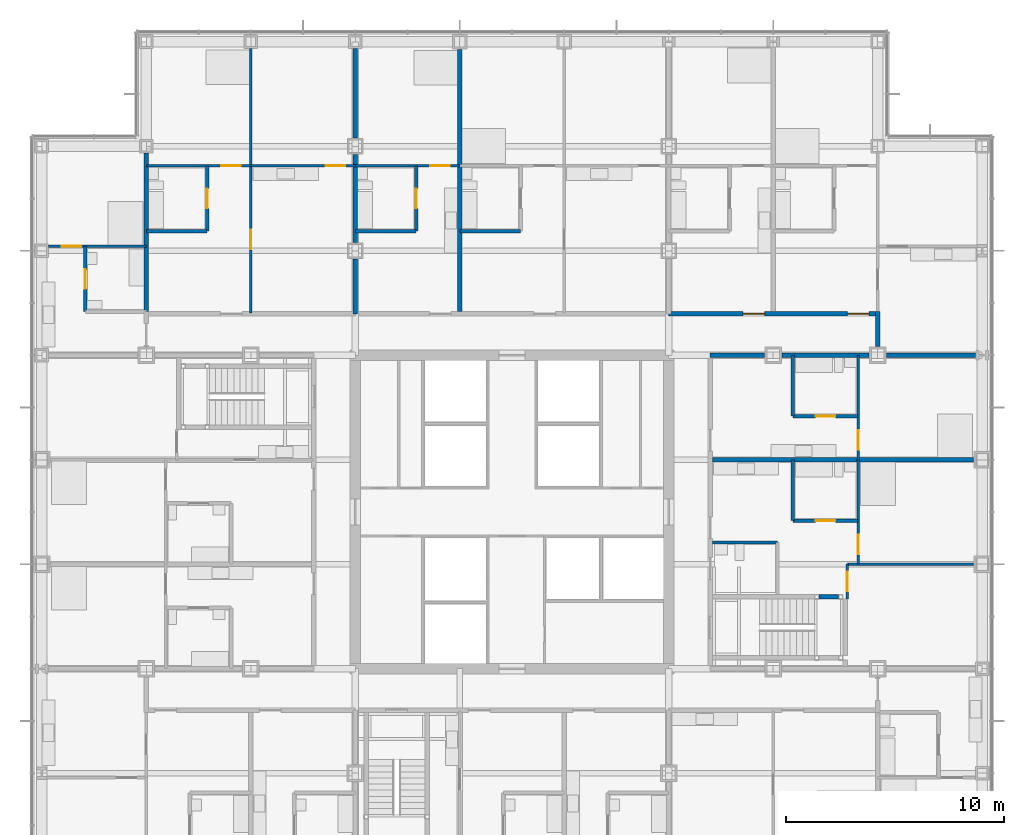
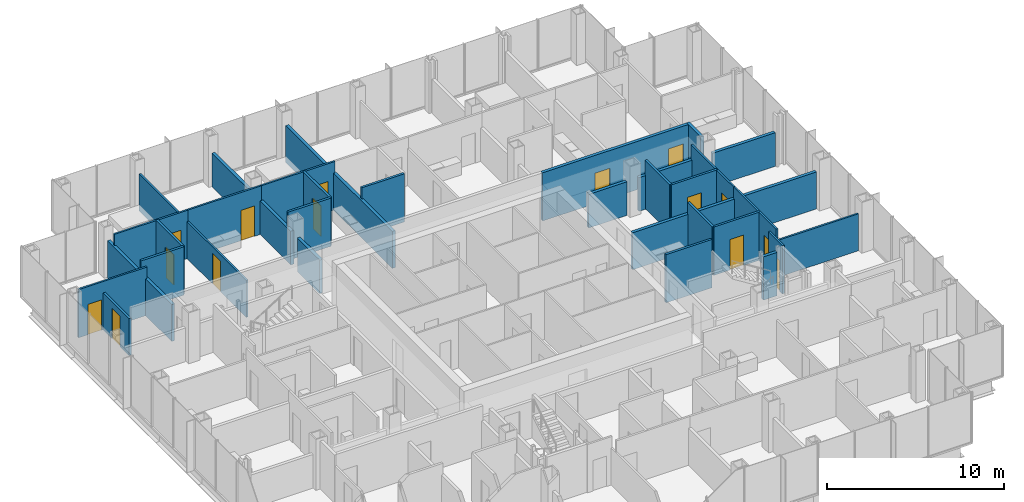
# One storey, part 17 of 21: 33 walls, 15 doors, 15 openings.
"""IFC4 building model written with IfcOpenShell, lengths in metres."""

from ifc_helpers import new_model, si_unit, direction, frame, frame_2d, origin, place, context, subcontext, project, spatial, rectangle, extrude, material, layer, layer_set, type_object, element, fill, save


model = new_model("IFC4")

# Units and contexts
model_context = context("Model", 3, precision=1e-05, world=origin(), true_north=direction((0.0, 1.0)))
body_context = subcontext(model_context, "Body", "Model", "MODEL_VIEW")
ifc_project = project(units=[si_unit("LENGTHUNIT", "METRE"), si_unit("AREAUNIT", "SQUARE_METRE"), si_unit("VOLUMEUNIT", "CUBIC_METRE"), si_unit("PLANEANGLEUNIT", "RADIAN"), si_unit("MASSUNIT", "GRAM", prefix="KILO")], contexts=[model_context])

# Site, building, storey
site_placement = place(None, origin())
site = spatial("IfcSite", under=ifc_project, at=site_placement, CompositionType="ELEMENT")
building_placement = place(site_placement, origin())
building = spatial("IfcBuilding", under=site, at=building_placement, Name="Kvirike Care Tower", CompositionType="ELEMENT")
storey_placement = place(building_placement, frame((0.0, 0.0, 30.5)))
storey = spatial("IfcBuildingStorey", under=building, at=storey_placement, Name="L07", CompositionType="ELEMENT", Elevation=30.5)

# Wall, opening, door
ifc_material_1 = material(Name="Moisture-resistant board partition", Category="gypsum")
ifc_layer_1 = layer(ifc_material_1, 0.14990234375)
ifc_layer_set_1 = layer_set([ifc_layer_1], Name="BATHROOM WALL 150")
wall_type_1 = type_object("IfcWallType", Name="BATHROOM WALL 150", PredefinedType="PARTITIONING", material=ifc_layer_set_1)
wall_1_placement = place(storey_placement, frame((7.60009765625, 51.89990234375, 0.0), z_axis=(0.0, 0.0, 1.0), x_axis=(0.0, -1.0, 0.0)))
wall_1 = element("IfcWall", 1, at=wall_1_placement, inside=storey, type_object=wall_type_1, Name="Bathroom Wall 150 L07", PredefinedType="PARTITIONING", context=body_context, shape_type="SweptSolid", body=[
    extrude(rectangle(XDim=3.0, YDim=0.14990234375, at=frame_2d((1.5, 0.0))), origin(), (0.0, 0.0, 1.0), 3.330078125),
])
opening_1_placement = place(wall_1_placement, frame((1.050048828125, 0.0, 0.0)))
opening_1 = element("IfcOpeningElement", 2, at=opening_1_placement, cuts=wall_1, Name="Opening 07-018", PredefinedType="OPENING", context=body_context, shape_type="SweptSolid", body=[
    extrude(rectangle(XDim=0.89990234375, YDim=2.10009765625, at=frame_2d((0.449951171875, 1.050048828125))), frame((0.0, 0.08544921875, 0.0), z_axis=(0.0, -1.0, 0.0), x_axis=(1.0, 0.0, 0.0)), (0.0, 0.0, 1.0), 0.1708984375),
])
ifc_material_2 = material(Name="Timber door set", Category="wood")
door_type_1 = type_object("IfcDoorType", Name="BATHROOM DOOR 900", OperationType="SINGLE_SWING_RIGHT", PredefinedType="DOOR", material=ifc_material_2)
door_1_placement = place(opening_1_placement, frame((0.89990234375, 0.0, 0.0), z_axis=(0.0, 0.0, 1.0), x_axis=(-1.0, 0.0, 0.0)))
door_1 = element("IfcDoor", 3, at=door_1_placement, inside=storey, type_object=door_type_1, Name="Bathroom door", OperationType="SINGLE_SWING_RIGHT", OverallHeight=2.10009765625, OverallWidth=0.89990234375, PredefinedType="DOOR", context=body_context, shape_type="SweptSolid", body=[
    extrude(rectangle(XDim=0.89990234375, YDim=2.10009765625, at=frame_2d((0.449951171875, 1.050048828125))), frame((0.0, 0.02197265625, 0.0), z_axis=(0.0, -1.0, 0.0), x_axis=(1.0, 0.0, 0.0)), (0.0, 0.0, 1.0), 0.0439453125),
])
fill(opening_1, door_1)

# Wall
wall_2_placement = place(storey_placement, frame((7.60009765625, 48.89990234375, 0.0), z_axis=(0.0, 0.0, 1.0), x_axis=(-1.0, 0.0, 0.0)))
element("IfcWall", 4, at=wall_2_placement, inside=storey, type_object=wall_type_1, Name="Bathroom Wall 150 L07", PredefinedType="PARTITIONING", context=body_context, shape_type="SweptSolid", body=[
    extrude(rectangle(XDim=2.800048828125, YDim=0.14990234375, at=frame_2d((1.39990234375, 0.0))), origin(), (0.0, 0.0, 1.0), 3.330078125),
])

# Wall, opening, door
wall_3_placement = place(storey_placement, frame((2.0, 48.199951171875, 0.0), z_axis=(0.0, 0.0, 1.0), x_axis=(0.0, -1.0, 0.0)))
wall_3 = element("IfcWall", 5, at=wall_3_placement, inside=storey, type_object=wall_type_1, Name="Bathroom Wall 150 L07", PredefinedType="PARTITIONING", context=body_context, shape_type="SweptSolid", body=[
    extrude(rectangle(XDim=3.0, YDim=0.14990234375, at=frame_2d((1.5, 0.0))), origin(), (0.0, 0.0, 1.0), 2.550048828125),
])
opening_2_placement = place(wall_3_placement, frame((1.050048828125, 0.0, 0.0)))
opening_2 = element("IfcOpeningElement", 6, at=opening_2_placement, cuts=wall_3, Name="Opening 07-022", PredefinedType="OPENING", context=body_context, shape_type="SweptSolid", body=[
    extrude(rectangle(XDim=0.89990234375, YDim=2.10009765625, at=frame_2d((0.449951171875, 1.050048828125))), frame((0.0, 0.08544921875, 0.0), z_axis=(0.0, -1.0, 0.0), x_axis=(1.0, 0.0, 0.0)), (0.0, 0.0, 1.0), 0.1708984375),
])
door_2_placement = place(opening_2_placement, origin())
door_2 = element("IfcDoor", 7, at=door_2_placement, inside=storey, type_object=door_type_1, Name="Bathroom door", OperationType="SINGLE_SWING_LEFT", OverallHeight=2.10009765625, OverallWidth=0.89990234375, PredefinedType="DOOR", context=body_context, shape_type="SweptSolid", body=[
    extrude(rectangle(XDim=0.89990234375, YDim=2.10009765625, at=frame_2d((0.449951171875, 1.050048828125))), frame((0.0, 0.02197265625, 0.0), z_axis=(0.0, -1.0, 0.0), x_axis=(1.0, 0.0, 0.0)), (0.0, 0.0, 1.0), 0.0439453125),
])
fill(opening_2, door_2)

# Wall
wall_4_placement = place(storey_placement, frame((22.0, 48.89990234375, 0.0), z_axis=(0.0, 0.0, 1.0), x_axis=(-1.0, 0.0, 0.0)))
element("IfcWall", 8, at=wall_4_placement, inside=storey, type_object=wall_type_1, Name="Bathroom Wall 150 L07", PredefinedType="PARTITIONING", context=body_context, shape_type="SweptSolid", body=[
    extrude(rectangle(XDim=2.800048828125, YDim=0.14990234375, at=frame_2d((1.39990234375, 0.0))), origin(), (0.0, 0.0, 1.0), 3.330078125),
])

# Wall, opening, door
wall_5_placement = place(storey_placement, frame((17.199951171875, 51.89990234375, 0.0), z_axis=(0.0, 0.0, 1.0), x_axis=(0.0, -1.0, 0.0)))
wall_5 = element("IfcWall", 9, at=wall_5_placement, inside=storey, type_object=wall_type_1, Name="Bathroom Wall 150 L07", PredefinedType="PARTITIONING", context=body_context, shape_type="SweptSolid", body=[
    extrude(rectangle(XDim=3.0, YDim=0.14990234375, at=frame_2d((1.5, 0.0))), origin(), (0.0, 0.0, 1.0), 3.330078125),
])
opening_3_placement = place(wall_5_placement, frame((1.050048828125, 0.0, 0.0)))
opening_3 = element("IfcOpeningElement", 10, at=opening_3_placement, cuts=wall_5, Name="Opening 07-039", PredefinedType="OPENING", context=body_context, shape_type="SweptSolid", body=[
    extrude(rectangle(XDim=0.89990234375, YDim=2.10009765625, at=frame_2d((0.449951171875, 1.050048828125))), frame((0.0, 0.08544921875, 0.0), z_axis=(0.0, -1.0, 0.0), x_axis=(1.0, 0.0, 0.0)), (0.0, 0.0, 1.0), 0.1708984375),
])
door_3_placement = place(opening_3_placement, frame((0.89990234375, 0.0, 0.0), z_axis=(0.0, 0.0, 1.0), x_axis=(-1.0, 0.0, 0.0)))
door_3 = element("IfcDoor", 11, at=door_3_placement, inside=storey, type_object=door_type_1, Name="Bathroom door", OperationType="SINGLE_SWING_LEFT", OverallHeight=2.10009765625, OverallWidth=0.89990234375, PredefinedType="DOOR", context=body_context, shape_type="SweptSolid", body=[
    extrude(rectangle(XDim=0.89990234375, YDim=2.10009765625, at=frame_2d((0.449951171875, 1.050048828125))), frame((0.0, 0.02197265625, 0.0), z_axis=(0.0, -1.0, 0.0), x_axis=(1.0, 0.0, 0.0)), (0.0, 0.0, 1.0), 0.0439453125),
])
fill(opening_3, door_3)

# Walls
wall_6_placement = place(storey_placement, frame((17.199951171875, 48.89990234375, 0.0), z_axis=(0.0, 0.0, 1.0), x_axis=(-1.0, 0.0, 0.0)))
element("IfcWall", 12, at=wall_6_placement, inside=storey, type_object=wall_type_1, Name="Bathroom Wall 150 L07", PredefinedType="PARTITIONING", context=body_context, shape_type="SweptSolid", body=[
    extrude(rectangle(XDim=2.800048828125, YDim=0.14990234375, at=frame_2d((1.39990234375, 0.0))), origin(), (0.0, 0.0, 1.0), 3.330078125),
])
wall_7_placement = place(storey_placement, frame((33.800048828125, 34.60009765625, 0.0), z_axis=(0.0, 0.0, 1.0), x_axis=(-1.0, 0.0, 0.0)))
element("IfcWall", 13, at=wall_7_placement, inside=storey, type_object=wall_type_1, Name="Bathroom Wall 150 L07", PredefinedType="PARTITIONING", context=body_context, shape_type="SweptSolid", body=[
    extrude(rectangle(XDim=3.0, YDim=0.14990234375, at=frame_2d((1.5, 0.0))), origin(), (0.0, 0.0, 1.0), 3.330078125),
])

# Wall, opening, door
wall_8_placement = place(storey_placement, frame((37.5, 35.60009765625, 0.0), z_axis=(0.0, 0.0, 1.0), x_axis=(-1.0, 0.0, 0.0)))
wall_8 = element("IfcWall", 14, at=wall_8_placement, inside=storey, type_object=wall_type_1, Name="Bathroom Wall 150 L07", PredefinedType="PARTITIONING", context=body_context, shape_type="SweptSolid", body=[
    extrude(rectangle(XDim=3.0, YDim=0.14990234375, at=frame_2d((1.5, 0.0))), origin(), (0.0, 0.0, 1.0), 3.330078125),
])
opening_4_placement = place(wall_8_placement, frame((1.050048828125, 0.0, 0.0)))
opening_4 = element("IfcOpeningElement", 15, at=opening_4_placement, cuts=wall_8, Name="Opening 07-051", PredefinedType="OPENING", context=body_context, shape_type="SweptSolid", body=[
    extrude(rectangle(XDim=0.89990234375, YDim=2.10009765625, at=frame_2d((0.449951171875, 1.050048828125))), frame((0.0, 0.08544921875, 0.0), z_axis=(0.0, -1.0, 0.0), x_axis=(1.0, 0.0, 0.0)), (0.0, 0.0, 1.0), 0.1708984375),
])
door_4_placement = place(opening_4_placement, frame((0.89990234375, 0.0, 0.0), z_axis=(0.0, 0.0, 1.0), x_axis=(-1.0, 0.0, 0.0)))
door_4 = element("IfcDoor", 16, at=door_4_placement, inside=storey, type_object=door_type_1, Name="Bathroom door", OperationType="SINGLE_SWING_RIGHT", OverallHeight=2.10009765625, OverallWidth=0.89990234375, PredefinedType="DOOR", context=body_context, shape_type="SweptSolid", body=[
    extrude(rectangle(XDim=0.89990234375, YDim=2.10009765625, at=frame_2d((0.449951171875, 1.050048828125))), frame((0.0, 0.02197265625, 0.0), z_axis=(0.0, -1.0, 0.0), x_axis=(1.0, 0.0, 0.0)), (0.0, 0.0, 1.0), 0.0439453125),
])
fill(opening_4, door_4)

# Wall
wall_9_placement = place(storey_placement, frame((34.5, 35.60009765625, 0.0), z_axis=(0.0, 0.0, 1.0), x_axis=(0.0, 1.0, 0.0)))
element("IfcWall", 17, at=wall_9_placement, inside=storey, type_object=wall_type_1, Name="Bathroom Wall 150 L07", PredefinedType="PARTITIONING", context=body_context, shape_type="SweptSolid", body=[
    extrude(rectangle(XDim=2.7998046875, YDim=0.14990234375, at=frame_2d((1.39990234375, 0.0))), origin(), (0.0, 0.0, 1.0), 3.330078125),
])

# Wall, opening, door
wall_10_placement = place(storey_placement, frame((37.5, 40.39990234375, 0.0), z_axis=(0.0, 0.0, 1.0), x_axis=(-1.0, 0.0, 0.0)))
wall_10 = element("IfcWall", 18, at=wall_10_placement, inside=storey, type_object=wall_type_1, Name="Bathroom Wall 150 L07", PredefinedType="PARTITIONING", context=body_context, shape_type="SweptSolid", body=[
    extrude(rectangle(XDim=3.0, YDim=0.14990234375, at=frame_2d((1.5, 0.0))), origin(), (0.0, 0.0, 1.0), 3.330078125),
])
opening_5_placement = place(wall_10_placement, frame((1.050048828125, 0.0, 0.0)))
opening_5 = element("IfcOpeningElement", 19, at=opening_5_placement, cuts=wall_10, Name="Opening 07-054", PredefinedType="OPENING", context=body_context, shape_type="SweptSolid", body=[
    extrude(rectangle(XDim=0.89990234375, YDim=2.10009765625, at=frame_2d((0.449951171875, 1.050048828125))), frame((0.0, 0.08544921875, 0.0), z_axis=(0.0, -1.0, 0.0), x_axis=(1.0, 0.0, 0.0)), (0.0, 0.0, 1.0), 0.1708984375),
])
door_5_placement = place(opening_5_placement, frame((0.89990234375, 0.0, 0.0), z_axis=(0.0, 0.0, 1.0), x_axis=(-1.0, 0.0, 0.0)))
door_5 = element("IfcDoor", 20, at=door_5_placement, inside=storey, type_object=door_type_1, Name="Bathroom door", OperationType="SINGLE_SWING_RIGHT", OverallHeight=2.10009765625, OverallWidth=0.89990234375, PredefinedType="DOOR", context=body_context, shape_type="SweptSolid", body=[
    extrude(rectangle(XDim=0.89990234375, YDim=2.10009765625, at=frame_2d((0.449951171875, 1.050048828125))), frame((0.0, 0.02197265625, 0.0), z_axis=(0.0, -1.0, 0.0), x_axis=(1.0, 0.0, 0.0)), (0.0, 0.0, 1.0), 0.0439453125),
])
fill(opening_5, door_5)

# Wall
wall_11_placement = place(storey_placement, frame((34.5, 40.39990234375, 0.0), z_axis=(0.0, 0.0, 1.0), x_axis=(0.0, 1.0, 0.0)))
element("IfcWall", 21, at=wall_11_placement, inside=storey, type_object=wall_type_1, Name="Bathroom Wall 150 L07", PredefinedType="PARTITIONING", context=body_context, shape_type="SweptSolid", body=[
    extrude(rectangle(XDim=2.800048828125, YDim=0.14990234375, at=frame_2d((1.39990234375, 0.0))), origin(), (0.0, 0.0, 1.0), 3.330078125),
])

# Wall, openings, doors
ifc_material_3 = material(Name="Plasterboard corridor wall", Category="gypsum")
ifc_layer_2 = layer(ifc_material_3, 0.199951171875)
ifc_layer_set_2 = layer_set([ifc_layer_2], Name="CORRIDOR WALL 200")
wall_type_2 = type_object("IfcWallType", Name="CORRIDOR WALL 200", PredefinedType="PARTITIONING", material=ifc_layer_set_2)
wall_12_placement = place(storey_placement, frame((38.39990234375, 45.10009765625, 0.0), z_axis=(0.0, 0.0, 1.0), x_axis=(-1.0, 0.0, 0.0)))
wall_12 = element("IfcWall", 22, at=wall_12_placement, inside=storey, type_object=wall_type_2, Name="Corridor Wall 200 L07", PredefinedType="PARTITIONING", context=body_context, shape_type="SweptSolid", body=[
    extrude(rectangle(XDim=9.599853515625, YDim=0.199951171875, at=frame_2d((4.7998046875, 0.0))), origin(), (0.0, 0.0, 1.0), 3.330078125),
])
opening_6_placement = place(wall_12_placement, frame((0.39990234375, 0.0, 0.0)))
opening_6 = element("IfcOpeningElement", 23, at=opening_6_placement, cuts=wall_12, Name="Opening 07-066", PredefinedType="OPENING", context=body_context, shape_type="SweptSolid", body=[
    extrude(rectangle(XDim=1.0, YDim=2.10009765625, at=frame_2d((0.5, 1.050048828125))), frame((0.0, 0.110595703125, 0.0), z_axis=(0.0, -1.0, 0.0), x_axis=(1.0, 0.0, 0.0)), (0.0, 0.0, 1.0), 0.220947265625),
])
opening_7_placement = place(wall_12_placement, frame((5.199951171875, 0.0, 0.0)))
opening_7 = element("IfcOpeningElement", 24, at=opening_7_placement, cuts=wall_12, Name="Opening 07-067", PredefinedType="OPENING", context=body_context, shape_type="SweptSolid", body=[
    extrude(rectangle(XDim=1.0, YDim=2.10009765625, at=frame_2d((0.5, 1.050048828125))), frame((0.0, 0.110595703125, 0.0), z_axis=(0.0, -1.0, 0.0), x_axis=(1.0, 0.0, 0.0)), (0.0, 0.0, 1.0), 0.220947265625),
])
ifc_material_4 = material(Name="Timber door set", Category="wood")
door_type_2 = type_object("IfcDoorType", Name="FLAT ENTRANCE DOOR 1000", OperationType="SINGLE_SWING_LEFT", PredefinedType="DOOR", material=ifc_material_4)
door_6_placement = place(opening_6_placement, frame((1.0, 0.0, 0.0), z_axis=(0.0, 0.0, 1.0), x_axis=(-1.0, 0.0, 0.0)))
door_6 = element("IfcDoor", 25, at=door_6_placement, inside=storey, type_object=door_type_2, Name="One-bedroom apartment entrance", OperationType="SINGLE_SWING_LEFT", OverallHeight=2.10009765625, OverallWidth=1.0, PredefinedType="DOOR", context=body_context, shape_type="SweptSolid", body=[
    extrude(rectangle(XDim=1.0, YDim=2.10009765625, at=frame_2d((0.5, 1.050048828125))), frame((0.0, 0.02685546875, 0.0), z_axis=(0.0, -1.0, 0.0), x_axis=(1.0, 0.0, 0.0)), (0.0, 0.0, 1.0), 0.053955078125),
])
fill(opening_6, door_6)
door_7_placement = place(opening_7_placement, frame((1.0, 0.0, 0.0), z_axis=(0.0, 0.0, 1.0), x_axis=(-1.0, 0.0, 0.0)))
door_7 = element("IfcDoor", 26, at=door_7_placement, inside=storey, type_object=door_type_2, Name="Studio apartment entrance", OperationType="SINGLE_SWING_LEFT", OverallHeight=2.10009765625, OverallWidth=1.0, PredefinedType="DOOR", context=body_context, shape_type="SweptSolid", body=[
    extrude(rectangle(XDim=1.0, YDim=2.10009765625, at=frame_2d((0.5, 1.050048828125))), frame((0.0, 0.02685546875, 0.0), z_axis=(0.0, -1.0, 0.0), x_axis=(1.0, 0.0, 0.0)), (0.0, 0.0, 1.0), 0.053955078125),
])
fill(opening_7, door_7)

# Wall
wall_13_placement = place(storey_placement, frame((38.39990234375, 45.199951171875, 0.0), z_axis=(0.0, 0.0, 1.0), x_axis=(0.0, -1.0, 0.0)))
element("IfcWall", 27, at=wall_13_placement, inside=storey, type_object=wall_type_2, Name="Corridor Wall 200 L07", PredefinedType="PARTITIONING", context=body_context, shape_type="SweptSolid", body=[
    extrude(rectangle(XDim=1.60498046875, YDim=0.199951171875, at=frame_2d((0.802490234375, 0.0))), origin(), (0.0, 0.0, 1.0), 3.330078125),
])

# Wall, opening, door
ifc_material_5 = material(Name="Plasterboard partition", Category="gypsum")
ifc_layer_3 = layer(ifc_material_5, 0.1201171875)
ifc_layer_set_3 = layer_set([ifc_layer_3], Name="PARTITION 120")
wall_type_3 = type_object("IfcWallType", Name="PARTITION 120", PredefinedType="PARTITIONING", material=ifc_layer_set_3)
wall_14_placement = place(storey_placement, frame((9.60009765625, 51.89990234375, 0.0), z_axis=(0.0, 0.0, 1.0), x_axis=(0.0, -1.0, 0.0)))
wall_14 = element("IfcWall", 28, at=wall_14_placement, inside=storey, type_object=wall_type_3, Name="Partition 120 L07", PredefinedType="PARTITIONING", context=body_context, shape_type="SweptSolid", body=[
    extrude(rectangle(XDim=6.75, YDim=0.1201171875, at=frame_2d((3.375, 0.0))), origin(), (0.0, 0.0, 1.0), 2.550048828125),
])
opening_8_placement = place(wall_14_placement, frame((2.925048828125, 0.0, 0.0)))
opening_8 = element("IfcOpeningElement", 29, at=opening_8_placement, cuts=wall_14, Name="Opening 07-019", PredefinedType="OPENING", context=body_context, shape_type="SweptSolid", body=[
    extrude(rectangle(XDim=0.89990234375, YDim=2.10009765625, at=frame_2d((0.449951171875, 1.050048828125))), frame((0.0, 0.070556640625, 0.0), z_axis=(0.0, -1.0, 0.0), x_axis=(1.0, 0.0, 0.0)), (0.0, 0.0, 1.0), 0.14111328125),
])
ifc_material_6 = material(Name="Timber door set", Category="wood")
door_type_3 = type_object("IfcDoorType", Name="INTERNAL DOOR 900", OperationType="SINGLE_SWING_LEFT", PredefinedType="DOOR", material=ifc_material_6)
door_8_placement = place(opening_8_placement, frame((0.89990234375, 0.0, 0.0), z_axis=(0.0, 0.0, 1.0), x_axis=(-1.0, 0.0, 0.0)))
door_8 = element("IfcDoor", 30, at=door_8_placement, inside=storey, type_object=door_type_3, Name="Hall door", OperationType="SINGLE_SWING_RIGHT", OverallHeight=2.10009765625, OverallWidth=0.89990234375, PredefinedType="DOOR", context=body_context, shape_type="SweptSolid", body=[
    extrude(rectangle(XDim=0.89990234375, YDim=2.10009765625, at=frame_2d((0.449951171875, 1.050048828125))), frame((0.0, 0.02197265625, 0.0), z_axis=(0.0, -1.0, 0.0), x_axis=(1.0, 0.0, 0.0)), (0.0, 0.0, 1.0), 0.0439453125),
])
fill(opening_8, door_8)

wall_15_placement = place(storey_placement, frame((14.39990234375, 51.89990234375, 0.0), z_axis=(0.0, 0.0, 1.0), x_axis=(-1.0, 0.0, 0.0)))
wall_15 = element("IfcWall", 31, at=wall_15_placement, inside=storey, type_object=wall_type_3, Name="Partition 120 L07", PredefinedType="PARTITIONING", context=body_context, shape_type="SweptSolid", body=[
    extrude(rectangle(XDim=4.7998046875, YDim=0.1201171875, at=frame_2d((2.39990234375, 0.0))), origin(), (0.0, 0.0, 1.0), 3.330078125),
])
opening_9_placement = place(wall_15_placement, frame((0.449951171875, 0.0, 0.0)))
opening_9 = element("IfcOpeningElement", 32, at=opening_9_placement, cuts=wall_15, Name="Opening 07-020", PredefinedType="OPENING", context=body_context, shape_type="SweptSolid", body=[
    extrude(rectangle(XDim=0.89990234375, YDim=2.10009765625, at=frame_2d((0.449951171875, 1.050048828125))), frame((0.0, 0.070556640625, 0.0), z_axis=(0.0, -1.0, 0.0), x_axis=(1.0, 0.0, 0.0)), (0.0, 0.0, 1.0), 0.14111328125),
])
door_9_placement = place(opening_9_placement, frame((0.89990234375, 0.0, 0.0), z_axis=(0.0, 0.0, 1.0), x_axis=(-1.0, 0.0, 0.0)))
door_9 = element("IfcDoor", 33, at=door_9_placement, inside=storey, type_object=door_type_3, Name="Apartment living room door", OperationType="SINGLE_SWING_LEFT", OverallHeight=2.10009765625, OverallWidth=0.89990234375, PredefinedType="DOOR", context=body_context, shape_type="SweptSolid", body=[
    extrude(rectangle(XDim=0.89990234375, YDim=2.10009765625, at=frame_2d((0.449951171875, 1.050048828125))), frame((0.0, 0.02197265625, 0.0), z_axis=(0.0, -1.0, 0.0), x_axis=(1.0, 0.0, 0.0)), (0.0, 0.0, 1.0), 0.0439453125),
])
fill(opening_9, door_9)

wall_16_placement = place(storey_placement, frame((9.60009765625, 51.89990234375, 0.0), z_axis=(0.0, 0.0, 1.0), x_axis=(-1.0, 0.0, 0.0)))
wall_16 = element("IfcWall", 34, at=wall_16_placement, inside=storey, type_object=wall_type_3, Name="Partition 120 L07", PredefinedType="PARTITIONING", context=body_context, shape_type="SweptSolid", body=[
    extrude(rectangle(XDim=4.800048828125, YDim=0.1201171875, at=frame_2d((2.39990234375, 0.0))), origin(), (0.0, 0.0, 1.0), 3.330078125),
])
opening_10_placement = place(wall_16_placement, frame((0.449951171875, 0.0, 0.0)))
opening_10 = element("IfcOpeningElement", 35, at=opening_10_placement, cuts=wall_16, Name="Opening 07-021", PredefinedType="OPENING", context=body_context, shape_type="SweptSolid", body=[
    extrude(rectangle(XDim=0.89990234375, YDim=2.10009765625, at=frame_2d((0.449951171875, 1.050048828125))), frame((0.0, 0.070556640625, 0.0), z_axis=(0.0, -1.0, 0.0), x_axis=(1.0, 0.0, 0.0)), (0.0, 0.0, 1.0), 0.14111328125),
])
door_10_placement = place(opening_10_placement, origin())
door_10 = element("IfcDoor", 36, at=door_10_placement, inside=storey, type_object=door_type_3, Name="Apartment bedroom door", OperationType="SINGLE_SWING_RIGHT", OverallHeight=2.10009765625, OverallWidth=0.89990234375, PredefinedType="DOOR", context=body_context, shape_type="SweptSolid", body=[
    extrude(rectangle(XDim=0.89990234375, YDim=2.10009765625, at=frame_2d((0.449951171875, 1.050048828125))), frame((0.0, 0.02197265625, 0.0), z_axis=(0.0, -1.0, 0.0), x_axis=(1.0, 0.0, 0.0)), (0.0, 0.0, 1.0), 0.0439453125),
])
fill(opening_10, door_10)

# Wall
wall_17_placement = place(storey_placement, frame((9.60009765625, 57.280029296875, 0.0), z_axis=(0.0, 0.0, 1.0), x_axis=(0.0, -1.0, 0.0)))
element("IfcWall", 37, at=wall_17_placement, inside=storey, type_object=wall_type_3, Name="Partition 120 L07", PredefinedType="PARTITIONING", context=body_context, shape_type="SweptSolid", body=[
    extrude(rectangle(XDim=5.380126953125, YDim=0.1201171875, at=frame_2d((2.68994140625, 0.0))), origin(), (0.0, 0.0, 1.0), 2.550048828125),
])

# Wall, opening, door
wall_18_placement = place(storey_placement, frame((4.800048828125, 48.199951171875, 0.0), z_axis=(0.0, 0.0, 1.0), x_axis=(-1.0, 0.0, 0.0)))
wall_18 = element("IfcWall", 38, at=wall_18_placement, inside=storey, type_object=wall_type_3, Name="Partition 120 L07", PredefinedType="PARTITIONING", context=body_context, shape_type="SweptSolid", body=[
    extrude(rectangle(XDim=4.47998046875, YDim=0.1201171875, at=frame_2d((2.239990234375, 0.0))), origin(), (0.0, 0.0, 1.0), 3.330078125),
])
opening_11_placement = place(wall_18_placement, frame((2.97509765625, 0.0, 0.0)))
opening_11 = element("IfcOpeningElement", 39, at=opening_11_placement, cuts=wall_18, Name="Opening 07-023", PredefinedType="OPENING", context=body_context, shape_type="SweptSolid", body=[
    extrude(rectangle(XDim=0.89990234375, YDim=2.10009765625, at=frame_2d((0.449951171875, 1.050048828125))), frame((0.0, 0.070556640625, 0.0), z_axis=(0.0, -1.0, 0.0), x_axis=(1.0, 0.0, 0.0)), (0.0, 0.0, 1.0), 0.14111328125),
])
door_11_placement = place(opening_11_placement, origin())
door_11 = element("IfcDoor", 40, at=door_11_placement, inside=storey, type_object=door_type_3, Name="Studio apartment living room door", OperationType="SINGLE_SWING_RIGHT", OverallHeight=2.10009765625, OverallWidth=0.89990234375, PredefinedType="DOOR", context=body_context, shape_type="SweptSolid", body=[
    extrude(rectangle(XDim=0.89990234375, YDim=2.10009765625, at=frame_2d((0.449951171875, 1.050048828125))), frame((0.0, 0.02197265625, 0.0), z_axis=(0.0, -1.0, 0.0), x_axis=(1.0, 0.0, 0.0)), (0.0, 0.0, 1.0), 0.0439453125),
])
fill(opening_11, door_11)

wall_19_placement = place(storey_placement, frame((19.199951171875, 51.89990234375, 0.0), z_axis=(0.0, 0.0, 1.0), x_axis=(-1.0, 0.0, 0.0)))
wall_19 = element("IfcWall", 41, at=wall_19_placement, inside=storey, type_object=wall_type_3, Name="Partition 120 L07", PredefinedType="PARTITIONING", context=body_context, shape_type="SweptSolid", body=[
    extrude(rectangle(XDim=4.800048828125, YDim=0.1201171875, at=frame_2d((2.39990234375, 0.0))), origin(), (0.0, 0.0, 1.0), 3.330078125),
])
opening_12_placement = place(wall_19_placement, frame((0.449951171875, 0.0, 0.0)))
opening_12 = element("IfcOpeningElement", 42, at=opening_12_placement, cuts=wall_19, Name="Opening 07-040", PredefinedType="OPENING", context=body_context, shape_type="SweptSolid", body=[
    extrude(rectangle(XDim=0.89990234375, YDim=2.10009765625, at=frame_2d((0.449951171875, 1.050048828125))), frame((0.0, 0.070556640625, 0.0), z_axis=(0.0, -1.0, 0.0), x_axis=(1.0, 0.0, 0.0)), (0.0, 0.0, 1.0), 0.14111328125),
])
door_12_placement = place(opening_12_placement, origin())
door_12 = element("IfcDoor", 43, at=door_12_placement, inside=storey, type_object=door_type_3, Name="Studio apartment living room door", OperationType="SINGLE_SWING_RIGHT", OverallHeight=2.10009765625, OverallWidth=0.89990234375, PredefinedType="DOOR", context=body_context, shape_type="SweptSolid", body=[
    extrude(rectangle(XDim=0.89990234375, YDim=2.10009765625, at=frame_2d((0.449951171875, 1.050048828125))), frame((0.0, 0.02197265625, 0.0), z_axis=(0.0, -1.0, 0.0), x_axis=(1.0, 0.0, 0.0)), (0.0, 0.0, 1.0), 0.0439453125),
])
fill(opening_12, door_12)

wall_20_placement = place(storey_placement, frame((37.0, 32.0, 0.0), z_axis=(0.0, 0.0, 1.0), x_axis=(0.0, 1.0, 0.0)))
wall_20 = element("IfcWall", 44, at=wall_20_placement, inside=storey, type_object=wall_type_3, Name="Partition 120 L07", PredefinedType="PARTITIONING", context=body_context, shape_type="SweptSolid", body=[
    extrude(rectangle(XDim=1.60009765625, YDim=0.1201171875, at=frame_2d((0.800048828125, 0.0))), origin(), (0.0, 0.0, 1.0), 3.330078125),
])
opening_13_placement = place(wall_20_placement, frame((0.35009765625, 0.0, 0.0)))
opening_13 = element("IfcOpeningElement", 45, at=opening_13_placement, cuts=wall_20, Name="Opening 07-052", PredefinedType="OPENING", context=body_context, shape_type="SweptSolid", body=[
    extrude(rectangle(XDim=0.89990234375, YDim=2.10009765625, at=frame_2d((0.449951171875, 1.050048828125))), frame((0.0, 0.070556640625, 0.0), z_axis=(0.0, -1.0, 0.0), x_axis=(1.0, 0.0, 0.0)), (0.0, 0.0, 1.0), 0.14111328125),
])
door_13_placement = place(opening_13_placement, origin())
door_13 = element("IfcDoor", 46, at=door_13_placement, inside=storey, type_object=door_type_3, Name="Apartment living room door", OperationType="SINGLE_SWING_RIGHT", OverallHeight=2.10009765625, OverallWidth=0.89990234375, PredefinedType="DOOR", context=body_context, shape_type="SweptSolid", body=[
    extrude(rectangle(XDim=0.89990234375, YDim=2.10009765625, at=frame_2d((0.449951171875, 1.050048828125))), frame((0.0, 0.02197265625, 0.0), z_axis=(0.0, -1.0, 0.0), x_axis=(1.0, 0.0, 0.0)), (0.0, 0.0, 1.0), 0.0439453125),
])
fill(opening_13, door_13)

wall_21_placement = place(storey_placement, frame((37.5, 33.60009765625, 0.0), z_axis=(0.0, 0.0, 1.0), x_axis=(0.0, 1.0, 0.0)))
wall_21 = element("IfcWall", 47, at=wall_21_placement, inside=storey, type_object=wall_type_3, Name="Partition 120 L07", PredefinedType="PARTITIONING", context=body_context, shape_type="SweptSolid", body=[
    extrude(rectangle(XDim=4.7998046875, YDim=0.1201171875, at=frame_2d((2.39990234375, 0.0))), origin(), (0.0, 0.0, 1.0), 3.330078125),
])
opening_14_placement = place(wall_21_placement, frame((0.449951171875, 0.0, 0.0)))
opening_14 = element("IfcOpeningElement", 48, at=opening_14_placement, cuts=wall_21, Name="Opening 07-053", PredefinedType="OPENING", context=body_context, shape_type="SweptSolid", body=[
    extrude(rectangle(XDim=0.89990234375, YDim=2.10009765625, at=frame_2d((0.449951171875, 1.050048828125))), frame((0.0, 0.070556640625, 0.0), z_axis=(0.0, -1.0, 0.0), x_axis=(1.0, 0.0, 0.0)), (0.0, 0.0, 1.0), 0.14111328125),
])
door_14_placement = place(opening_14_placement, origin())
door_14 = element("IfcDoor", 49, at=door_14_placement, inside=storey, type_object=door_type_3, Name="Apartment bedroom door", OperationType="SINGLE_SWING_LEFT", OverallHeight=2.10009765625, OverallWidth=0.89990234375, PredefinedType="DOOR", context=body_context, shape_type="SweptSolid", body=[
    extrude(rectangle(XDim=0.89990234375, YDim=2.10009765625, at=frame_2d((0.449951171875, 1.050048828125))), frame((0.0, 0.02197265625, 0.0), z_axis=(0.0, -1.0, 0.0), x_axis=(1.0, 0.0, 0.0)), (0.0, 0.0, 1.0), 0.0439453125),
])
fill(opening_14, door_14)

# Wall
wall_22_placement = place(storey_placement, frame((42.804931640625, 33.60009765625, 0.0), z_axis=(0.0, 0.0, 1.0), x_axis=(-1.0, 0.0, 0.0)))
element("IfcWall", 50, at=wall_22_placement, inside=storey, type_object=wall_type_3, Name="Partition 120 L07", PredefinedType="PARTITIONING", context=body_context, shape_type="SweptSolid", body=[
    extrude(rectangle(XDim=5.804931640625, YDim=0.1201171875, at=frame_2d((2.90234375, 0.0))), origin(), (0.0, 0.0, 1.0), 2.550048828125),
])

# Wall, opening, door
wall_23_placement = place(storey_placement, frame((37.5, 38.39990234375, 0.0), z_axis=(0.0, 0.0, 1.0), x_axis=(0.0, 1.0, 0.0)))
wall_23 = element("IfcWall", 51, at=wall_23_placement, inside=storey, type_object=wall_type_3, Name="Partition 120 L07", PredefinedType="PARTITIONING", context=body_context, shape_type="SweptSolid", body=[
    extrude(rectangle(XDim=4.800048828125, YDim=0.1201171875, at=frame_2d((2.39990234375, 0.0))), origin(), (0.0, 0.0, 1.0), 3.330078125),
])
opening_15_placement = place(wall_23_placement, frame((0.449951171875, 0.0, 0.0)))
opening_15 = element("IfcOpeningElement", 52, at=opening_15_placement, cuts=wall_23, Name="Opening 07-055", PredefinedType="OPENING", context=body_context, shape_type="SweptSolid", body=[
    extrude(rectangle(XDim=0.89990234375, YDim=2.10009765625, at=frame_2d((0.449951171875, 1.050048828125))), frame((0.0, 0.070556640625, 0.0), z_axis=(0.0, -1.0, 0.0), x_axis=(1.0, 0.0, 0.0)), (0.0, 0.0, 1.0), 0.14111328125),
])
door_15_placement = place(opening_15_placement, origin())
door_15 = element("IfcDoor", 53, at=door_15_placement, inside=storey, type_object=door_type_3, Name="Studio apartment living room door", OperationType="SINGLE_SWING_RIGHT", OverallHeight=2.10009765625, OverallWidth=0.89990234375, PredefinedType="DOOR", context=body_context, shape_type="SweptSolid", body=[
    extrude(rectangle(XDim=0.89990234375, YDim=2.10009765625, at=frame_2d((0.449951171875, 1.050048828125))), frame((0.0, 0.02197265625, 0.0), z_axis=(0.0, -1.0, 0.0), x_axis=(1.0, 0.0, 0.0)), (0.0, 0.0, 1.0), 0.0439453125),
])
fill(opening_15, door_15)

# Walls
ifc_material_7 = material(Name="Plasterboard party wall", Category="gypsum")
ifc_layer_4 = layer(ifc_material_7, 0.199951171875)
ifc_layer_set_4 = layer_set([ifc_layer_4], Name="PARTY WALL 200")
wall_type_4 = type_object("IfcWallType", Name="PARTY WALL 200", PredefinedType="PARTITIONING", material=ifc_layer_set_4)
wall_24_placement = place(storey_placement, frame((4.800048828125, 52.47998046875, 0.0), z_axis=(0.0, 0.0, 1.0), x_axis=(0.0, -1.0, 0.0)))
element("IfcWall", 54, at=wall_24_placement, inside=storey, type_object=wall_type_4, Name="Party Wall 200 L07", PredefinedType="PARTITIONING", context=body_context, shape_type="SweptSolid", body=[
    extrude(rectangle(XDim=7.280029296875, YDim=0.199951171875, at=frame_2d((3.64013671875, 0.0))), origin(), (0.0, 0.0, 1.0), 2.550048828125),
])
wall_25_placement = place(storey_placement, frame((19.199951171875, 57.2548828125, 0.0), z_axis=(0.0, 0.0, 1.0), x_axis=(0.0, -1.0, 0.0)))
element("IfcWall", 55, at=wall_25_placement, inside=storey, type_object=wall_type_4, Name="Party Wall 200 L07", PredefinedType="PARTITIONING", context=body_context, shape_type="SweptSolid", body=[
    extrude(rectangle(XDim=12.054931640625, YDim=0.199951171875, at=frame_2d((6.02734375, 0.0))), origin(), (0.0, 0.0, 1.0), 2.550048828125),
])
wall_26_placement = place(storey_placement, frame((42.804931640625, 38.39990234375, 0.0), z_axis=(0.0, 0.0, 1.0), x_axis=(-1.0, 0.0, 0.0)))
element("IfcWall", 56, at=wall_26_placement, inside=storey, type_object=wall_type_4, Name="Party Wall 200 L07", PredefinedType="PARTITIONING", context=body_context, shape_type="SweptSolid", body=[
    extrude(rectangle(XDim=12.0048828125, YDim=0.199951171875, at=frame_2d((6.00244140625, 0.0))), origin(), (0.0, 0.0, 1.0), 2.550048828125),
])
wall_27_placement = place(storey_placement, frame((14.39990234375, 45.10009765625, 0.0), z_axis=(0.0, 0.0, 1.0), x_axis=(0.0, 1.0, 0.0)))
element("IfcWall", 57, at=wall_27_placement, inside=storey, type_object=wall_type_4, Name="Party Wall 200 L07", PredefinedType="PARTITIONING", context=body_context, shape_type="SweptSolid", body=[
    extrude(rectangle(XDim=2.52978515625, YDim=0.199951171875, at=frame_2d((1.264892578125, 0.0))), origin(), (0.0, 0.0, 1.0), 2.320068359375),
])
wall_28_placement = place(storey_placement, frame((14.39990234375, 48.3701171875, 0.0), z_axis=(0.0, 0.0, 1.0), x_axis=(0.0, 1.0, 0.0)))
element("IfcWall", 58, at=wall_28_placement, inside=storey, type_object=wall_type_4, Name="Party Wall 200 L07", PredefinedType="PARTITIONING", context=body_context, shape_type="SweptSolid", body=[
    extrude(rectangle(XDim=4.059814453125, YDim=0.199951171875, at=frame_2d((2.02978515625, 0.0))), origin(), (0.0, 0.0, 1.0), 2.320068359375),
])
wall_29_placement = place(storey_placement, frame((14.39990234375, 53.169921875, 0.0), z_axis=(0.0, 0.0, 1.0), x_axis=(0.0, 1.0, 0.0)))
element("IfcWall", 59, at=wall_29_placement, inside=storey, type_object=wall_type_4, Name="Party Wall 200 L07", PredefinedType="PARTITIONING", context=body_context, shape_type="SweptSolid", body=[
    extrude(rectangle(XDim=4.110107421875, YDim=0.199951171875, at=frame_2d((2.05517578125, 0.0))), origin(), (0.0, 0.0, 1.0), 2.320068359375),
])
wall_30_placement = place(storey_placement, frame((42.8955078125, 43.199951171875, 0.0), z_axis=(0.0, 0.0, 1.0), x_axis=(-1.0, 0.0, 0.0)))
element("IfcWall", 60, at=wall_30_placement, inside=storey, type_object=wall_type_4, Name="Party Wall 200 L07", PredefinedType="PARTITIONING", context=body_context, shape_type="SweptSolid", body=[
    extrude(rectangle(XDim=4.1005859375, YDim=0.199951171875, at=frame_2d((2.05029296875, 0.0))), origin(), (0.0, 0.0, 1.0), 2.320068359375),
])
wall_31_placement = place(storey_placement, frame((38.0048828125, 43.199951171875, 0.0), z_axis=(0.0, 0.0, 1.0), x_axis=(-1.0, 0.0, 0.0)))
element("IfcWall", 61, at=wall_31_placement, inside=storey, type_object=wall_type_4, Name="Party Wall 200 L07", PredefinedType="PARTITIONING", context=body_context, shape_type="SweptSolid", body=[
    extrude(rectangle(XDim=4.009765625, YDim=0.199951171875, at=frame_2d((2.0048828125, 0.0))), origin(), (0.0, 0.0, 1.0), 2.320068359375),
])
wall_32_placement = place(storey_placement, frame((33.205078125, 43.199951171875, 0.0), z_axis=(0.0, 0.0, 1.0), x_axis=(-1.0, 0.0, 0.0)))
element("IfcWall", 62, at=wall_32_placement, inside=storey, type_object=wall_type_4, Name="Party Wall 200 L07", PredefinedType="PARTITIONING", context=body_context, shape_type="SweptSolid", body=[
    extrude(rectangle(XDim=2.505126953125, YDim=0.199951171875, at=frame_2d((1.25244140625, 0.0))), origin(), (0.0, 0.0, 1.0), 2.320068359375),
])
ifc_material_8 = material(Name="Concrete C40/50", Category="concrete")
ifc_layer_5 = layer(ifc_material_8, 0.199951171875)
ifc_layer_set_5 = layer_set([ifc_layer_5], Name="STAIR WALL 200")
wall_type_5 = type_object("IfcWallType", Name="STAIR WALL 200", PredefinedType="SOLIDWALL", material=ifc_layer_set_5)
wall_33_placement = place(storey_placement, frame((36.60009765625, 32.10009765625, 0.0), z_axis=(0.0, 0.0, 1.0), x_axis=(-1.0, 0.0, 0.0)))
element("IfcWall", 63, at=wall_33_placement, inside=storey, type_object=wall_type_5, Name="Stair Wall 200 L07", PredefinedType="SOLIDWALL", context=body_context, shape_type="SweptSolid", body=[
    extrude(rectangle(XDim=0.900146484375, YDim=0.199951171875, at=frame_2d((0.4501953125, 0.0))), origin(), (0.0, 0.0, 1.0), 2.989990234375),
])

save(model, "model.ifc")
